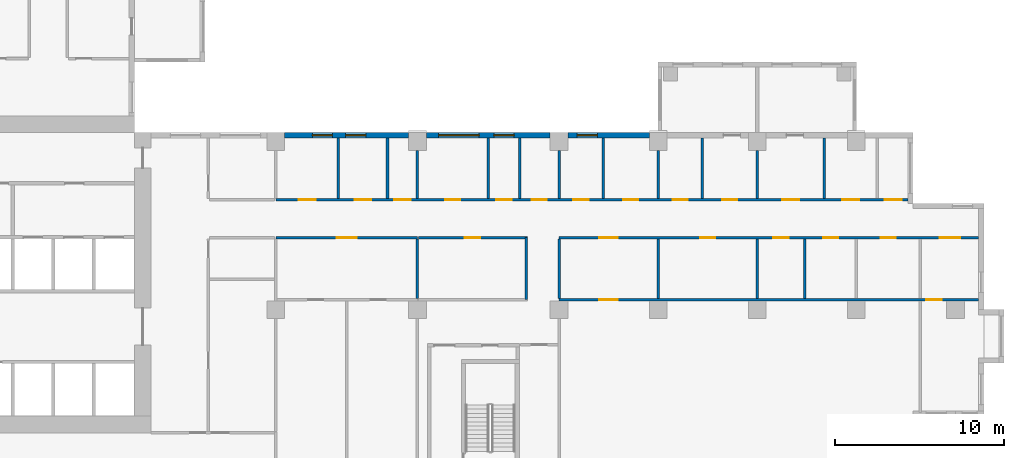
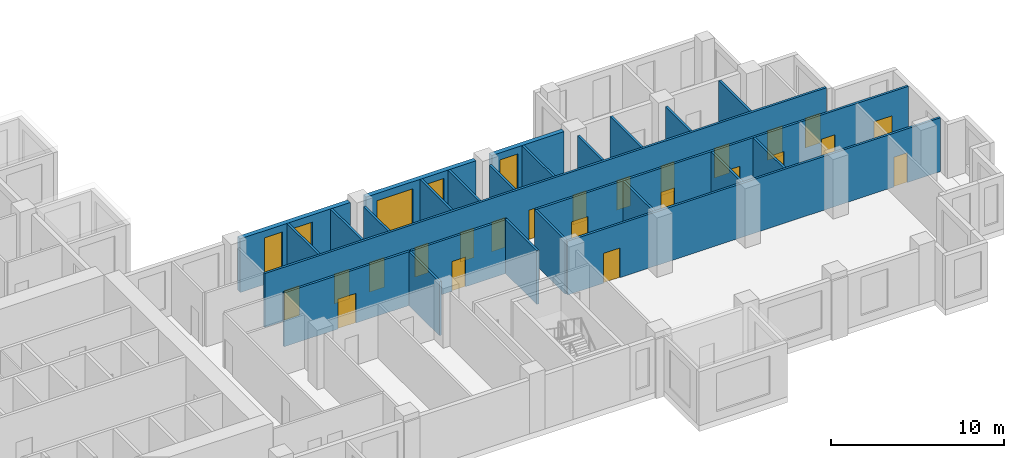
# One storey, part 5 of 14: 25 walls, 23 doors, 5 windows, 28 openings.
"""IFC4 building model written with IfcOpenShell, lengths in metres."""

import ifcopenshell
import ifcopenshell.guid

model = None  # the IFC model being written
_history = None  # IfcOwnerHistory: only IFC2X3 demands one
_inside = {}  # id of a spatial element -> (the spatial element, [elements in it])
_under = {}  # id of a project, library or spatial element -> (it, [spatial elements below it])
_declared = {}  # id of a project -> (the project, [libraries it declares])
_typed = {}  # id of a type object -> (the type object, [elements of that type])
_made_of = {}  # id of a material, layer set ... -> (it, [elements and type objects made of it])


def new_model(schema):
    """Start an empty IFC model of exactly this schema.

    Asked for "IFC4X3", IfcOpenShell would pick the latest addendum, in which some entities
    have other attributes; the version numbers below select the first issue.
    IFC2X3 requires an IfcOwnerHistory on every rooted entity: one is made here for all.
    """
    global model, _history
    if schema == "IFC4X3":
        model = ifcopenshell.file(schema_version=(4, 3, 0, 0))
    else:
        model = ifcopenshell.file(schema=schema)
    _inside.clear()
    _under.clear()
    _declared.clear()
    _typed.clear()
    _made_of.clear()
    _history = None
    if model.schema == "IFC2X3":
        org = make("IfcOrganization", Name="unknown")
        user = make(
            "IfcPersonAndOrganization",
            ThePerson=make("IfcPerson", FamilyName="unknown"),
            TheOrganization=org,
        )
        app = make(
            "IfcApplication",
            ApplicationDeveloper=org,
            Version="unknown",
            ApplicationFullName="unknown",
            ApplicationIdentifier="unknown",
        )
        _history = make(
            "IfcOwnerHistory",
            OwningUser=user,
            OwningApplication=app,
            ChangeAction="ADDED",
            CreationDate=0,
        )
    return model


def make(cls, **values):
    """One entity of the class cls with the attributes given. An attribute that is None is left unset."""
    return model.create_entity(
        cls, **{name: value for name, value in values.items() if value is not None}
    )


def rooted(cls, **values):
    """An entity with a GlobalId (a new one), such as an element, a storey or a relation."""
    return make(cls, GlobalId=ifcopenshell.guid.new(), OwnerHistory=_history, **values)


def si_unit(unit_type, name, prefix=None):
    """IfcSIUnit, for example si_unit("LENGTHUNIT", "METRE", prefix="MILLI")."""
    return make("IfcSIUnit", UnitType=unit_type, Prefix=prefix, Name=name)


def assignment(units):
    """IfcUnitAssignment: the units of a project."""
    return None if units is None else make("IfcUnitAssignment", Units=units)


def point(xyz):
    """IfcCartesianPoint."""
    return None if xyz is None else make("IfcCartesianPoint", Coordinates=xyz)


def direction(xyz):
    """IfcDirection."""
    return None if xyz is None else make("IfcDirection", DirectionRatios=xyz)


def frame(location, z_axis=None, x_axis=None):
    """IfcAxis2Placement3D, a coordinate frame: its origin and axes. An axis left out is left unset."""
    return make(
        "IfcAxis2Placement3D",
        Location=point(location),
        Axis=direction(z_axis),
        RefDirection=direction(x_axis),
    )


def frame_2d(location, x_axis=None):
    """IfcAxis2Placement2D, a coordinate frame in the plane: its origin and x axis."""
    return make(
        "IfcAxis2Placement2D", Location=point(location), RefDirection=direction(x_axis)
    )


def origin():
    """The frame at (0, 0, 0) with its axes left unset."""
    return frame((0.0, 0.0, 0.0))


def place(relative_to, where):
    """IfcLocalPlacement: puts the frame where relative to a parent placement (None: the world)."""
    return make(
        "IfcLocalPlacement", PlacementRelTo=relative_to, RelativePlacement=where
    )


def context(
    kind, dimensions, precision=None, world=None, true_north=None, identifier=None
):
    """IfcGeometricRepresentationContext, for example the 3D "Model" context."""
    return make(
        "IfcGeometricRepresentationContext",
        ContextIdentifier=identifier,
        ContextType=kind,
        CoordinateSpaceDimension=dimensions,
        Precision=precision,
        WorldCoordinateSystem=world,
        TrueNorth=true_north,
    )


def subcontext(parent, identifier, kind, view, scale=None):
    """IfcGeometricRepresentationSubContext, for example "Body" below "Model"."""
    return make(
        "IfcGeometricRepresentationSubContext",
        ContextIdentifier=identifier,
        ContextType=kind,
        ParentContext=parent,
        TargetScale=scale,
        TargetView=view,
    )


def project(units=None, contexts=None):
    """IfcProject with its units and contexts."""
    return rooted(
        "IfcProject",
        Name="project",
        RepresentationContexts=contexts,
        UnitsInContext=assignment(units),
    )


def spatial(cls, under=None, at=None, **own):
    """A site, building, storey or space (cls), placed at a placement, below another one or the project."""
    s = rooted(cls, ObjectPlacement=at, **own)
    if under is not None:
        _under.setdefault(under.id(), (under, []))[1].append(s)
    return s


def profile(cls, at=None, kind="AREA", **sizes):
    """A parametric profile (cls). Its sizes go by their IFC names, for example OverallWidth=200.0."""
    return make(cls, ProfileType=kind, Position=at, **sizes)


def rectangle(**sizes):
    """IfcRectangleProfileDef."""
    return profile("IfcRectangleProfileDef", **sizes)


def extrude(swept, where, along, depth):
    """IfcExtrudedAreaSolid: the profile swept, set in the frame where, extruded along a direction by depth."""
    return make(
        "IfcExtrudedAreaSolid",
        SweptArea=swept,
        Position=where,
        ExtrudedDirection=direction(along),
        Depth=depth,
    )


def shape(context_of_items, identifier, shape_type, items):
    """IfcShapeRepresentation: the items that make up one representation, for example the "Body"."""
    return make(
        "IfcShapeRepresentation",
        ContextOfItems=context_of_items,
        RepresentationIdentifier=identifier,
        RepresentationType=shape_type,
        Items=items,
    )


def source(mapping_origin, context_of_items, identifier, shape_type, items):
    """IfcRepresentationMap: a shape defined once, which mapped items show again and again."""
    return make(
        "IfcRepresentationMap",
        MappingOrigin=mapping_origin,
        MappedRepresentation=shape(context_of_items, identifier, shape_type, items),
    )


def transform(
    local_origin,
    x_axis=None,
    y_axis=None,
    z_axis=None,
    scale=None,
    scale2=None,
    scale3=None,
    uniform=True,
):
    """IfcCartesianTransformationOperator3D, or its non-uniform kind. x_axis, y_axis, z_axis: its Axis1, 2, 3."""
    if uniform:
        return make(
            "IfcCartesianTransformationOperator3D",
            Axis1=direction(x_axis),
            Axis2=direction(y_axis),
            LocalOrigin=point(local_origin),
            Scale=scale,
            Axis3=direction(z_axis),
        )
    return make(
        "IfcCartesianTransformationOperator3DnonUniform",
        Axis1=direction(x_axis),
        Axis2=direction(y_axis),
        LocalOrigin=point(local_origin),
        Scale=scale,
        Axis3=direction(z_axis),
        Scale2=scale2,
        Scale3=scale3,
    )


def mapped(mapping_source, mapping_target):
    """IfcMappedItem: shows the shape of a source again, moved by a transform."""
    return make(
        "IfcMappedItem", MappingSource=mapping_source, MappingTarget=mapping_target
    )


def material(Name=None, Category=None):
    """IfcMaterial."""
    return make("IfcMaterial", Name=Name, Category=Category)


def layer(
    of_material, thickness, ventilated=None, Name=None, Category=None, Priority=None
):
    """IfcMaterialLayer: one layer of a wall or slab, of a material (None: an air gap)."""
    return make(
        "IfcMaterialLayer",
        Material=of_material,
        LayerThickness=thickness,
        IsVentilated=ventilated,
        Name=Name,
        Category=Category,
        Priority=Priority,
    )


def layer_set(layers, Name=None):
    """IfcMaterialLayerSet."""
    return make("IfcMaterialLayerSet", MaterialLayers=layers, LayerSetName=Name)


def made_of(thing, what):
    """Note that an element or type object is made of a material, layer set ...; save() writes the relation."""
    if what is not None:
        _made_of.setdefault(what.id(), (what, []))[1].append(thing)
    return thing


def type_object(cls, material=None, **own):
    """A type object (cls), such as IfcWallType, which elements share."""
    return made_of(rooted(cls, **own), material)


def element(
    cls,
    number,
    at=None,
    inside=None,
    cuts=None,
    type_object=None,
    material=None,
    context=None,
    identifier="Body",
    shape_type=None,
    held_by="IfcProductDefinitionShape",
    body=None,
    shapes=None,
    **own,
):
    """One element of the class cls, such as IfcWall. Its Tag is "e" and its number.

    at: its placement. inside: the storey or other place that contains it. cuts: it is an
    opening in that element (IfcRelVoidsElement). A single representation is given by context,
    identifier, shape_type and body (its items); several are given by shapes. held_by: the class
    of the entity that holds the representations. save() writes the other relations.
    """
    e = rooted(cls, Tag="e%d" % number, ObjectPlacement=at, **own)
    if body is not None:
        shapes = [shape(context, identifier, shape_type, body)]
    if shapes is not None:
        e.Representation = make(held_by, Representations=shapes)
    if inside is not None:
        _inside.setdefault(inside.id(), (inside, []))[1].append(e)
    if cuts is not None:
        rooted(
            "IfcRelVoidsElement", RelatingBuildingElement=cuts, RelatedOpeningElement=e
        )
    if type_object is not None:
        _typed.setdefault(type_object.id(), (type_object, []))[1].append(e)
    return made_of(e, material)


def fill(opening, filler):
    """IfcRelFillsElement: the door or window that sits in an opening."""
    return rooted(
        "IfcRelFillsElement",
        RelatingOpeningElement=opening,
        RelatedBuildingElement=filler,
    )


def aggregate(whole, parts):
    """IfcRelAggregates: a whole, such as a stair, and the parts it consists of."""
    return rooted("IfcRelAggregates", RelatingObject=whole, RelatedObjects=parts)


def save(model, path):
    """Write the relations noted so far, then the file.

    IfcRelAggregates (storeys below a building ...), IfcRelContainedInSpatialStructure (elements
    in a storey), IfcRelDefinesByType, IfcRelAssociatesMaterial and IfcRelDeclares: one each for
    every whole, place, type object, material and project.
    """
    for whole, parts in _under.values():
        aggregate(whole, parts)
    for where, things in _inside.values():
        rooted(
            "IfcRelContainedInSpatialStructure",
            RelatedElements=things,
            RelatingStructure=where,
        )
    for kind, things in _typed.values():
        rooted("IfcRelDefinesByType", RelatedObjects=things, RelatingType=kind)
    for what, things in _made_of.values():
        rooted("IfcRelAssociatesMaterial", RelatedObjects=things, RelatingMaterial=what)
    for by, libraries in _declared.values():
        rooted("IfcRelDeclares", RelatingContext=by, RelatedDefinitions=libraries)
    model.write(path)


model = new_model("IFC4")

# Units and contexts
model_context = context("Model", 3, precision=1e-05, world=origin(), true_north=direction((0.0, 1.0)))
body_context = subcontext(model_context, "Body", "Model", "MODEL_VIEW")
ifc_project = project(units=[si_unit("LENGTHUNIT", "METRE"), si_unit("AREAUNIT", "SQUARE_METRE"), si_unit("VOLUMEUNIT", "CUBIC_METRE"), si_unit("PLANEANGLEUNIT", "RADIAN"), si_unit("MASSUNIT", "GRAM", prefix="KILO")], contexts=[model_context])

# Site, building, storey
site_placement = place(None, origin())
site = spatial("IfcSite", under=ifc_project, at=site_placement, CompositionType="ELEMENT")
building_placement = place(site_placement, origin())
building = spatial("IfcBuilding", under=site, at=building_placement, Name="Aurelian Terraces", CompositionType="ELEMENT")
storey_placement = place(building_placement, frame((0.0, 0.0, 111.9)))
storey = spatial("IfcBuildingStorey", under=building, at=storey_placement, Name="L24", CompositionType="ELEMENT", Elevation=111.9)

# Wall, openings, windows
ifc_material_1 = material(Name="Terracotta rainscreen cladding", Category="masonry")
ifc_layer_1 = layer(ifc_material_1, 0.3)
ifc_layer_set_1 = layer_set([ifc_layer_1], Name="EW-300")
wall_type_1 = type_object("IfcWallType", Name="EW-300", PredefinedType="STANDARD", material=ifc_layer_set_1)
shared_shape_1 = source(origin(), body_context, "Body", "SweptSolid", [
    extrude(rectangle(XDim=7.35, YDim=0.3, at=frame_2d((3.675, 0.0))), origin(), (0.0, 0.0, 1.0), 3.8),
])
wall_1_placement = place(storey_placement, frame((45.675, 20.85, 0.0), z_axis=(0.0, 0.0, 1.0), x_axis=(-1.0, 0.0, 0.0)))
wall_1 = element("IfcWall", 1, at=wall_1_placement, inside=storey, type_object=wall_type_1, Name="External wall L24 F07.20", PredefinedType="STANDARD", context=body_context, shape_type="MappedRepresentation", body=[
    mapped(shared_shape_1, transform((0.0, 0.0, 0.0), scale=1.0)),
])
shared_shape_2 = source(origin(), body_context, "Body", "SweptSolid", [
    extrude(rectangle(XDim=1.2, YDim=2.7, at=frame_2d((0.6, 1.35))), frame((0.0, 0.16, 0.0), z_axis=(0.0, -1.0, 0.0), x_axis=(1.0, 0.0, 0.0)), (0.0, 0.0, 1.0), 0.32),
])
opening_1_placement = place(wall_1_placement, frame((2.141, 0.0, 0.6)))
opening_1 = element("IfcOpeningElement", 2, at=opening_1_placement, cuts=wall_1, Name="Opening W1227", PredefinedType="OPENING", context=body_context, shape_type="MappedRepresentation", body=[
    mapped(shared_shape_2, transform((0.0, 0.0, 0.0), scale=1.0)),
])
shared_shape_3 = source(origin(), body_context, "Body", "SweptSolid", [
    extrude(rectangle(XDim=2.4, YDim=2.7, at=frame_2d((1.2, 1.35))), frame((0.0, 0.16, 0.0), z_axis=(0.0, -1.0, 0.0), x_axis=(1.0, 0.0, 0.0)), (0.0, 0.0, 1.0), 0.32),
])
opening_2_placement = place(wall_1_placement, frame((4.2125, 0.0, 0.6)))
opening_2 = element("IfcOpeningElement", 3, at=opening_2_placement, cuts=wall_1, Name="Opening W2427", PredefinedType="OPENING", context=body_context, shape_type="MappedRepresentation", body=[
    mapped(shared_shape_3, transform((0.0, 0.0, 0.0), scale=1.0)),
])
ifc_material_2 = material(Name="Clear glazing", Category="glass")
window_type_1 = type_object("IfcWindowType", Name="W-2400x2700", PartitioningType="SINGLE_PANEL", PredefinedType="WINDOW", material=ifc_material_2)
shared_shape_4 = source(origin(), body_context, "Body", "SweptSolid", [
    extrude(rectangle(XDim=2.4, YDim=2.7, at=frame_2d((1.2, 1.35))), frame((0.0, 0.03, 0.0), z_axis=(0.0, -1.0, 0.0), x_axis=(1.0, 0.0, 0.0)), (0.0, 0.0, 1.0), 0.06),
])
window_1_placement = place(opening_2_placement, origin())
window_1 = element("IfcWindow", 4, at=window_1_placement, inside=storey, type_object=window_type_1, Name="Window L24 L24-F07-20-P0.2", OverallHeight=2.7, OverallWidth=2.4, PartitioningType="SINGLE_PANEL", PredefinedType="WINDOW", context=body_context, shape_type="MappedRepresentation", body=[
    mapped(shared_shape_4, transform((0.0, 0.0, 0.0), scale=1.0)),
])
fill(opening_2, window_1)
window_type_2 = type_object("IfcWindowType", Name="W-1200x2700", PartitioningType="SINGLE_PANEL", PredefinedType="WINDOW", material=ifc_material_2)
shared_shape_5 = source(origin(), body_context, "Body", "SweptSolid", [
    extrude(rectangle(XDim=1.2, YDim=2.7, at=frame_2d((0.6, 1.35))), frame((0.0, 0.03, 0.0), z_axis=(0.0, -1.0, 0.0), x_axis=(1.0, 0.0, 0.0)), (0.0, 0.0, 1.0), 0.06),
])
window_2_placement = place(opening_1_placement, origin())
window_2 = element("IfcWindow", 5, at=window_2_placement, inside=storey, type_object=window_type_2, Name="Window L24 L24-F07-20-P0.1", OverallHeight=2.7, OverallWidth=1.2, PartitioningType="SINGLE_PANEL", PredefinedType="WINDOW", context=body_context, shape_type="MappedRepresentation", body=[
    mapped(shared_shape_5, transform((0.0, 0.0, 0.0), scale=1.0)),
])
fill(opening_1, window_2)

wall_2_placement = place(storey_placement, frame((37.275, 20.85, 0.0), z_axis=(0.0, 0.0, 1.0), x_axis=(-1.0, 0.0, 0.0)))
wall_2 = element("IfcWall", 6, at=wall_2_placement, inside=storey, type_object=wall_type_1, Name="External wall L24 F07.20", PredefinedType="STANDARD", context=body_context, shape_type="MappedRepresentation", body=[
    mapped(shared_shape_1, transform((0.0, 0.0, 0.0), scale=1.0)),
])
opening_3_placement = place(wall_2_placement, frame((2.541, 0.0, 0.6)))
opening_3 = element("IfcOpeningElement", 7, at=opening_3_placement, cuts=wall_2, Name="Opening W1227", PredefinedType="OPENING", context=body_context, shape_type="MappedRepresentation", body=[
    mapped(shared_shape_2, transform((0.0, 0.0, 0.0), scale=1.0)),
])
opening_4_placement = place(wall_2_placement, frame((4.516, 0.0, 0.6)))
opening_4 = element("IfcOpeningElement", 8, at=opening_4_placement, cuts=wall_2, Name="Opening W1227", PredefinedType="OPENING", context=body_context, shape_type="MappedRepresentation", body=[
    mapped(shared_shape_2, transform((0.0, 0.0, 0.0), scale=1.0)),
])
window_3_placement = place(opening_3_placement, origin())
window_3 = element("IfcWindow", 9, at=window_3_placement, inside=storey, type_object=window_type_2, Name="Window L24 L24-F07-20-2.1", OverallHeight=2.7, OverallWidth=1.2, PartitioningType="SINGLE_PANEL", PredefinedType="WINDOW", context=body_context, shape_type="MappedRepresentation", body=[
    mapped(shared_shape_5, transform((0.0, 0.0, 0.0), scale=1.0)),
])
fill(opening_3, window_3)
window_4_placement = place(opening_4_placement, origin())
window_4 = element("IfcWindow", 10, at=window_4_placement, inside=storey, type_object=window_type_2, Name="Window L24 L24-F07-20-2.2", OverallHeight=2.7, OverallWidth=1.2, PartitioningType="SINGLE_PANEL", PredefinedType="WINDOW", context=body_context, shape_type="MappedRepresentation", body=[
    mapped(shared_shape_5, transform((0.0, 0.0, 0.0), scale=1.0)),
])
fill(opening_4, window_4)

# Wall, opening, window
shared_shape_6 = source(origin(), body_context, "Body", "SweptSolid", [
    extrude(rectangle(XDim=4.83, YDim=0.3, at=frame_2d((2.415, 0.0))), origin(), (0.0, 0.0, 1.0), 3.8),
])
wall_3_placement = place(storey_placement, frame((51.555, 20.85, 0.0), z_axis=(0.0, 0.0, 1.0), x_axis=(-1.0, 0.0, 0.0)))
wall_3 = element("IfcWall", 11, at=wall_3_placement, inside=storey, type_object=wall_type_1, Name="External wall L24 F07.19", PredefinedType="STANDARD", context=body_context, shape_type="MappedRepresentation", body=[
    mapped(shared_shape_6, transform((0.0, 0.0, 0.0), scale=1.0)),
])
opening_5_placement = place(wall_3_placement, frame((3.0865, 0.0, 0.6)))
opening_5 = element("IfcOpeningElement", 12, at=opening_5_placement, cuts=wall_3, Name="Opening W1227", PredefinedType="OPENING", context=body_context, shape_type="MappedRepresentation", body=[
    mapped(shared_shape_2, transform((0.0, 0.0, 0.0), scale=1.0)),
])
window_5_placement = place(opening_5_placement, origin())
window_5 = element("IfcWindow", 13, at=window_5_placement, inside=storey, type_object=window_type_2, Name="Window L24 L24-F07-19-4", OverallHeight=2.7, OverallWidth=1.2, PartitioningType="SINGLE_PANEL", PredefinedType="WINDOW", context=body_context, shape_type="MappedRepresentation", body=[
    mapped(shared_shape_5, transform((0.0, 0.0, 0.0), scale=1.0)),
])
fill(opening_5, window_5)

# Wall, opening, door
ifc_material_3 = material(Name="Gypsum board on steel studs", Category="steel")
ifc_layer_2 = layer(ifc_material_3, 0.15)
ifc_layer_set_2 = layer_set([ifc_layer_2], Name="Fire partition 150")
wall_type_2 = type_object("IfcWallType", Name="Fire partition 150", PredefinedType="PARTITIONING", material=ifc_layer_set_2)
shared_shape_7 = source(origin(), body_context, "Body", "SweptSolid", [
    extrude(rectangle(XDim=6.45, YDim=0.15, at=frame_2d((3.225, 0.0))), origin(), (0.0, 0.0, 1.0), 3.8),
])
wall_4_placement = place(storey_placement, frame((44.325, 14.775, 0.0), z_axis=(0.0, 0.0, 1.0), x_axis=(-1.0, 0.0, 0.0)))
wall_4 = element("IfcWall", 14, at=wall_4_placement, inside=storey, type_object=wall_type_2, Name="Corridor wall", PredefinedType="PARTITIONING", context=body_context, shape_type="MappedRepresentation", body=[
    mapped(shared_shape_7, transform((0.0, 0.0, 0.0), scale=1.0)),
])
shared_shape_8 = source(origin(), body_context, "Body", "SweptSolid", [
    extrude(rectangle(XDim=0.9, YDim=2.1, at=frame_2d((0.45, 1.05))), frame((0.0, 0.085, 0.0), z_axis=(0.0, -1.0, 0.0), x_axis=(1.0, 0.0, 0.0)), (0.0, 0.0, 1.0), 0.17),
])
opening_6_placement = place(wall_4_placement, frame((2.8125, 0.0, 0.0)))
opening_6 = element("IfcOpeningElement", 15, at=opening_6_placement, cuts=wall_4, Name="Opening 724005", PredefinedType="OPENING", context=body_context, shape_type="MappedRepresentation", body=[
    mapped(shared_shape_8, transform((0.0, 0.0, 0.0), scale=1.0)),
])
ifc_material_4 = material(Name="Timber door leaf", Category="wood")
door_type_1 = type_object("IfcDoorType", Name="Room door 900x2100 left", OperationType="SINGLE_SWING_LEFT", PredefinedType="DOOR", material=ifc_material_4)
shared_shape_9 = source(origin(), body_context, "Body", "SweptSolid", [
    extrude(rectangle(XDim=0.9, YDim=2.1, at=frame_2d((0.45, 1.05))), frame((0.0, 0.025, 0.0), z_axis=(0.0, -1.0, 0.0), x_axis=(1.0, 0.0, 0.0)), (0.0, 0.0, 1.0), 0.05),
])
door_1_placement = place(opening_6_placement, origin())
door_1 = element("IfcDoor", 16, at=door_1_placement, inside=storey, type_object=door_type_1, Name="Door 724005", OperationType="SINGLE_SWING_LEFT", OverallHeight=2.1, OverallWidth=0.9, PredefinedType="DOOR", context=body_context, shape_type="MappedRepresentation", body=[
    mapped(shared_shape_9, transform((0.0, 0.0, 0.0), scale=1.0)),
])
fill(opening_6, door_1)

# Walls
ifc_layer_3 = layer(ifc_material_3, 0.15)
ifc_layer_set_3 = layer_set([ifc_layer_3], Name="Partition 150")
wall_type_3 = type_object("IfcWallType", Name="Partition 150", PredefinedType="PARTITIONING", material=ifc_layer_set_3)
shared_shape_10 = source(origin(), body_context, "Body", "SweptSolid", [
    extrude(rectangle(XDim=3.6, YDim=0.15, at=frame_2d((1.8, 0.0))), origin(), (0.0, 0.0, 1.0), 3.8),
])
for number, where, z_axis, x_axis, name in (
    (17, (33.1133, 20.7, 0.0), (0.0, 0.0, 1.0), (0.0, -1.0, 0.0), "Partition"),
    (18, (36.024, 20.7, 0.0), (0.0, 0.0, 1.0), (0.0, -1.0, 0.0), "Partition"),
    (19, (43.8679, 20.7, 0.0), (0.0, 0.0, 1.0), (0.0, -1.0, 0.0), "Partition"),
    (20, (48.8116, 20.7, 0.0), (0.0, 0.0, 1.0), (0.0, -1.0, 0.0), "Partition"),
    (21, (54.6916, 20.7, 0.0), (0.0, 0.0, 1.0), (0.0, -1.0, 0.0), "Partition"),
    (22, (61.9445, 20.7, 0.0), (0.0, 0.0, 1.0), (0.0, -1.0, 0.0), "Partition"),
    (23, (42.0, 17.1, 0.0), (0.0, 0.0, 1.0), (0.0, 1.0, 0.0), "Partition"),
):
    element("IfcWall", number, at=place(storey_placement, frame(where, z_axis=z_axis, x_axis=x_axis)), inside=storey, type_object=wall_type_3, Name=name, PredefinedType="PARTITIONING", context=body_context, shape_type="MappedRepresentation", body=[
        mapped(shared_shape_10, transform((0.0, 0.0, 0.0), scale=1.0)),
    ])

# Wall, opening, door
shared_shape_11 = source(origin(), body_context, "Body", "SweptSolid", [
    extrude(rectangle(XDim=8.4, YDim=0.15, at=frame_2d((4.2, 0.0))), origin(), (0.0, 0.0, 1.0), 3.8),
])
wall_5_placement = place(storey_placement, frame((37.8, 14.775, 0.0), z_axis=(0.0, 0.0, 1.0), x_axis=(-1.0, 0.0, 0.0)))
wall_5 = element("IfcWall", 24, at=wall_5_placement, inside=storey, type_object=wall_type_2, Name="Corridor wall", PredefinedType="PARTITIONING", context=body_context, shape_type="MappedRepresentation", body=[
    mapped(shared_shape_11, transform((0.0, 0.0, 0.0), scale=1.0)),
])
shared_shape_12 = source(origin(), body_context, "Body", "SweptSolid", [
    extrude(rectangle(XDim=1.2, YDim=2.1, at=frame_2d((0.6, 1.05))), frame((0.0, 0.085, 0.0), z_axis=(0.0, -1.0, 0.0), x_axis=(1.0, 0.0, 0.0)), (0.0, 0.0, 1.0), 0.17),
])
opening_7_placement = place(wall_5_placement, frame((3.6, 0.0, 0.0)))
opening_7 = element("IfcOpeningElement", 25, at=opening_7_placement, cuts=wall_5, Name="Opening 724007", PredefinedType="OPENING", context=body_context, shape_type="MappedRepresentation", body=[
    mapped(shared_shape_12, transform((0.0, 0.0, 0.0), scale=1.0)),
])
door_type_2 = type_object("IfcDoorType", Name="Room door 1200x2100 right", OperationType="SINGLE_SWING_RIGHT", PredefinedType="DOOR", material=ifc_material_4)
shared_shape_13 = source(origin(), body_context, "Body", "SweptSolid", [
    extrude(rectangle(XDim=1.2, YDim=2.1, at=frame_2d((0.6, 1.05))), frame((0.0, 0.025, 0.0), z_axis=(0.0, -1.0, 0.0), x_axis=(1.0, 0.0, 0.0)), (0.0, 0.0, 1.0), 0.05),
])
door_2_placement = place(opening_7_placement, origin())
door_2 = element("IfcDoor", 26, at=door_2_placement, inside=storey, type_object=door_type_2, Name="Door 724007", OperationType="SINGLE_SWING_RIGHT", OverallHeight=2.1, OverallWidth=1.2, PredefinedType="DOOR", context=body_context, shape_type="MappedRepresentation", body=[
    mapped(shared_shape_13, transform((0.0, 0.0, 0.0), scale=1.0)),
])
fill(opening_7, door_2)

# Wall, openings, doors
shared_shape_14 = source(origin(), body_context, "Body", "SweptSolid", [
    extrude(rectangle(XDim=24.9, YDim=0.15, at=frame_2d((12.45, 0.0))), origin(), (0.0, 0.0, 1.0), 3.8),
])
wall_6_placement = place(storey_placement, frame((71.1, 11.1, 0.0), z_axis=(0.0, 0.0, 1.0), x_axis=(-1.0, 0.0, 0.0)))
wall_6 = element("IfcWall", 27, at=wall_6_placement, inside=storey, type_object=wall_type_3, Name="Partition", PredefinedType="PARTITIONING", context=body_context, shape_type="MappedRepresentation", body=[
    mapped(shared_shape_14, transform((0.0, 0.0, 0.0), scale=1.0)),
])
shared_shape_15 = source(origin(), body_context, "Body", "SweptSolid", [
    extrude(rectangle(XDim=1.1, YDim=2.1, at=frame_2d((0.55, 1.05))), frame((0.0, 0.085, 0.0), z_axis=(0.0, -1.0, 0.0), x_axis=(1.0, 0.0, 0.0)), (0.0, 0.0, 1.0), 0.17),
])
opening_8_placement = place(wall_6_placement, frame((21.41, 0.0, 0.0)))
opening_8 = element("IfcOpeningElement", 28, at=opening_8_placement, cuts=wall_6, Name="Opening 724011", PredefinedType="OPENING", context=body_context, shape_type="MappedRepresentation", body=[
    mapped(shared_shape_15, transform((0.0, 0.0, 0.0), scale=1.0)),
])
opening_9_placement = place(wall_6_placement, frame((2.205, 0.0, 0.0)))
opening_9 = element("IfcOpeningElement", 29, at=opening_9_placement, cuts=wall_6, Name="Opening 724017", PredefinedType="OPENING", context=body_context, shape_type="MappedRepresentation", body=[
    mapped(shared_shape_8, transform((0.0, 0.0, 0.0), scale=1.0)),
])
door_3_placement = place(opening_9_placement, origin())
door_3 = element("IfcDoor", 30, at=door_3_placement, inside=storey, type_object=door_type_1, Name="Door 724017", OperationType="SINGLE_SWING_LEFT", OverallHeight=2.1, OverallWidth=0.9, PredefinedType="DOOR", context=body_context, shape_type="MappedRepresentation", body=[
    mapped(shared_shape_9, transform((0.0, 0.0, 0.0), scale=1.0)),
])
fill(opening_9, door_3)
door_type_3 = type_object("IfcDoorType", Name="Room door 1100x2100 left", OperationType="SINGLE_SWING_LEFT", PredefinedType="DOOR", material=ifc_material_4)
shared_shape_16 = source(origin(), body_context, "Body", "SweptSolid", [
    extrude(rectangle(XDim=1.1, YDim=2.1, at=frame_2d((0.55, 1.05))), frame((0.0, 0.025, 0.0), z_axis=(0.0, -1.0, 0.0), x_axis=(1.0, 0.0, 0.0)), (0.0, 0.0, 1.0), 0.05),
])
door_4_placement = place(opening_8_placement, origin())
door_4 = element("IfcDoor", 31, at=door_4_placement, inside=storey, type_object=door_type_3, Name="Door 724011", OperationType="SINGLE_SWING_LEFT", OverallHeight=2.1, OverallWidth=1.1, PredefinedType="DOOR", context=body_context, shape_type="MappedRepresentation", body=[
    mapped(shared_shape_16, transform((0.0, 0.0, 0.0), scale=1.0)),
])
fill(opening_8, door_4)

wall_7_placement = place(storey_placement, frame((71.1, 14.775, 0.0), z_axis=(0.0, 0.0, 1.0), x_axis=(-1.0, 0.0, 0.0)))
wall_7 = element("IfcWall", 32, at=wall_7_placement, inside=storey, type_object=wall_type_2, Name="Corridor wall", PredefinedType="PARTITIONING", context=body_context, shape_type="MappedRepresentation", body=[
    mapped(shared_shape_14, transform((0.0, 0.0, 0.0), scale=1.0)),
])
opening_10_placement = place(wall_7_placement, frame((21.41, 0.0, 0.0)))
opening_10 = element("IfcOpeningElement", 33, at=opening_10_placement, cuts=wall_7, Name="Opening 724010", PredefinedType="OPENING", context=body_context, shape_type="MappedRepresentation", body=[
    mapped(shared_shape_15, transform((0.0, 0.0, 0.0), scale=1.0)),
])
opening_11_placement = place(wall_7_placement, frame((15.63, 0.0, 0.0)))
opening_11 = element("IfcOpeningElement", 34, at=opening_11_placement, cuts=wall_7, Name="Opening 724012", PredefinedType="OPENING", context=body_context, shape_type="MappedRepresentation", body=[
    mapped(shared_shape_8, transform((0.0, 0.0, 0.0), scale=1.0)),
])
opening_12_placement = place(wall_7_placement, frame((11.2782, 0.0, 0.0)))
opening_12 = element("IfcOpeningElement", 35, at=opening_12_placement, cuts=wall_7, Name="Opening 724013", PredefinedType="OPENING", context=body_context, shape_type="MappedRepresentation", body=[
    mapped(shared_shape_8, transform((0.0, 0.0, 0.0), scale=1.0)),
])
opening_13_placement = place(wall_7_placement, frame((8.3382, 0.0, 0.0)))
opening_13 = element("IfcOpeningElement", 36, at=opening_13_placement, cuts=wall_7, Name="Opening 724014", PredefinedType="OPENING", context=body_context, shape_type="MappedRepresentation", body=[
    mapped(shared_shape_8, transform((0.0, 0.0, 0.0), scale=1.0)),
])
opening_14_placement = place(wall_7_placement, frame((4.92, 0.0, 0.0)))
opening_14 = element("IfcOpeningElement", 37, at=opening_14_placement, cuts=wall_7, Name="Opening 724015", PredefinedType="OPENING", context=body_context, shape_type="MappedRepresentation", body=[
    mapped(shared_shape_8, transform((0.0, 0.0, 0.0), scale=1.0)),
])
opening_15_placement = place(wall_7_placement, frame((1.1025, 0.0, 0.0)))
opening_15 = element("IfcOpeningElement", 38, at=opening_15_placement, cuts=wall_7, Name="Opening 724016", PredefinedType="OPENING", context=body_context, shape_type="MappedRepresentation", body=[
    mapped(shared_shape_12, transform((0.0, 0.0, 0.0), scale=1.0)),
])
door_type_4 = type_object("IfcDoorType", Name="Room door 900x2100 right", OperationType="SINGLE_SWING_RIGHT", PredefinedType="DOOR", material=ifc_material_4)
door_5_placement = place(opening_11_placement, origin())
door_5 = element("IfcDoor", 39, at=door_5_placement, inside=storey, type_object=door_type_4, Name="Door 724012", OperationType="SINGLE_SWING_RIGHT", OverallHeight=2.1, OverallWidth=0.9, PredefinedType="DOOR", context=body_context, shape_type="MappedRepresentation", body=[
    mapped(shared_shape_9, transform((0.0, 0.0, 0.0), scale=1.0)),
])
fill(opening_11, door_5)
door_6_placement = place(opening_12_placement, origin())
door_6 = element("IfcDoor", 40, at=door_6_placement, inside=storey, type_object=door_type_1, Name="Door 724013", OperationType="SINGLE_SWING_LEFT", OverallHeight=2.1, OverallWidth=0.9, PredefinedType="DOOR", context=body_context, shape_type="MappedRepresentation", body=[
    mapped(shared_shape_9, transform((0.0, 0.0, 0.0), scale=1.0)),
])
fill(opening_12, door_6)
door_7_placement = place(opening_13_placement, origin())
door_7 = element("IfcDoor", 41, at=door_7_placement, inside=storey, type_object=door_type_4, Name="Door 724014", OperationType="SINGLE_SWING_RIGHT", OverallHeight=2.1, OverallWidth=0.9, PredefinedType="DOOR", context=body_context, shape_type="MappedRepresentation", body=[
    mapped(shared_shape_9, transform((0.0, 0.0, 0.0), scale=1.0)),
])
fill(opening_13, door_7)
door_8_placement = place(opening_14_placement, origin())
door_8 = element("IfcDoor", 42, at=door_8_placement, inside=storey, type_object=door_type_1, Name="Door 724015", OperationType="SINGLE_SWING_LEFT", OverallHeight=2.1, OverallWidth=0.9, PredefinedType="DOOR", context=body_context, shape_type="MappedRepresentation", body=[
    mapped(shared_shape_9, transform((0.0, 0.0, 0.0), scale=1.0)),
])
fill(opening_14, door_8)
door_type_5 = type_object("IfcDoorType", Name="Room door 1100x2100 right", OperationType="SINGLE_SWING_RIGHT", PredefinedType="DOOR", material=ifc_material_4)
door_9_placement = place(opening_10_placement, origin())
door_9 = element("IfcDoor", 43, at=door_9_placement, inside=storey, type_object=door_type_5, Name="Door 724010", OperationType="SINGLE_SWING_RIGHT", OverallHeight=2.1, OverallWidth=1.1, PredefinedType="DOOR", context=body_context, shape_type="MappedRepresentation", body=[
    mapped(shared_shape_16, transform((0.0, 0.0, 0.0), scale=1.0)),
])
fill(opening_10, door_9)
door_10_placement = place(opening_15_placement, origin())
door_10 = element("IfcDoor", 44, at=door_10_placement, inside=storey, type_object=door_type_2, Name="Door 724016", OperationType="SINGLE_SWING_RIGHT", OverallHeight=2.1, OverallWidth=1.2, PredefinedType="DOOR", context=body_context, shape_type="MappedRepresentation", body=[
    mapped(shared_shape_13, transform((0.0, 0.0, 0.0), scale=1.0)),
])
fill(opening_15, door_10)

shared_shape_17 = source(origin(), body_context, "Body", "SweptSolid", [
    extrude(rectangle(XDim=37.5, YDim=0.15, at=frame_2d((18.75, 0.0))), origin(), (0.0, 0.0, 1.0), 3.8),
])
wall_8_placement = place(storey_placement, frame((29.4, 17.025, 0.0), z_axis=(0.0, 0.0, 1.0), x_axis=(1.0, 0.0, 0.0)))
wall_8 = element("IfcWall", 45, at=wall_8_placement, inside=storey, type_object=wall_type_2, Name="Corridor wall", PredefinedType="PARTITIONING", context=body_context, shape_type="MappedRepresentation", body=[
    mapped(shared_shape_17, transform((0.0, 0.0, 0.0), scale=1.0)),
])
shared_shape_18 = source(origin(), body_context, "Body", "SweptSolid", [
    extrude(rectangle(XDim=1.0, YDim=2.1, at=frame_2d((0.5, 1.05))), frame((0.0, 0.085, 0.0), z_axis=(0.0, -1.0, 0.0), x_axis=(1.0, 0.0, 0.0)), (0.0, 0.0, 1.0), 0.17),
])
opening_16_placement = place(wall_8_placement, frame((1.3567, 0.0, 0.0)))
opening_16 = element("IfcOpeningElement", 46, at=opening_16_placement, cuts=wall_8, Name="Opening 724018", PredefinedType="OPENING", context=body_context, shape_type="MappedRepresentation", body=[
    mapped(shared_shape_18, transform((0.0, 0.0, 0.0), scale=1.0)),
])
opening_17_placement = place(wall_8_placement, frame((4.6686, 0.0, 0.0)))
opening_17 = element("IfcOpeningElement", 47, at=opening_17_placement, cuts=wall_8, Name="Opening 724019", PredefinedType="OPENING", context=body_context, shape_type="MappedRepresentation", body=[
    mapped(shared_shape_18, transform((0.0, 0.0, 0.0), scale=1.0)),
])
opening_18_placement = place(wall_8_placement, frame((7.012, 0.0, 0.0)))
opening_18 = element("IfcOpeningElement", 48, at=opening_18_placement, cuts=wall_8, Name="Opening 724020", PredefinedType="OPENING", context=body_context, shape_type="MappedRepresentation", body=[
    mapped(shared_shape_18, transform((0.0, 0.0, 0.0), scale=1.0)),
])
opening_19_placement = place(wall_8_placement, frame((10.05, 0.0, 0.0)))
opening_19 = element("IfcOpeningElement", 49, at=opening_19_placement, cuts=wall_8, Name="Opening 724021", PredefinedType="OPENING", context=body_context, shape_type="MappedRepresentation", body=[
    mapped(shared_shape_8, transform((0.0, 0.0, 0.0), scale=1.0)),
])
opening_20_placement = place(wall_8_placement, frame((13.0839, 0.0, 0.0)))
opening_20 = element("IfcOpeningElement", 50, at=opening_20_placement, cuts=wall_8, Name="Opening 724022", PredefinedType="OPENING", context=body_context, shape_type="MappedRepresentation", body=[
    mapped(shared_shape_8, transform((0.0, 0.0, 0.0), scale=1.0)),
])
opening_21_placement = place(wall_8_placement, frame((15.1839, 0.0, 0.0)))
opening_21 = element("IfcOpeningElement", 51, at=opening_21_placement, cuts=wall_8, Name="Opening 724023", PredefinedType="OPENING", context=body_context, shape_type="MappedRepresentation", body=[
    mapped(shared_shape_8, transform((0.0, 0.0, 0.0), scale=1.0)),
])
opening_22_placement = place(wall_8_placement, frame((17.6558, 0.0, 0.0)))
opening_22 = element("IfcOpeningElement", 52, at=opening_22_placement, cuts=wall_8, Name="Opening 724024", PredefinedType="OPENING", context=body_context, shape_type="MappedRepresentation", body=[
    mapped(shared_shape_8, transform((0.0, 0.0, 0.0), scale=1.0)),
])
opening_23_placement = place(wall_8_placement, frame((20.5958, 0.0, 0.0)))
opening_23 = element("IfcOpeningElement", 53, at=opening_23_placement, cuts=wall_8, Name="Opening 724025", PredefinedType="OPENING", context=body_context, shape_type="MappedRepresentation", body=[
    mapped(shared_shape_8, transform((0.0, 0.0, 0.0), scale=1.0)),
])
opening_24_placement = place(wall_8_placement, frame((23.5358, 0.0, 0.0)))
opening_24 = element("IfcOpeningElement", 54, at=opening_24_placement, cuts=wall_8, Name="Opening 724026", PredefinedType="OPENING", context=body_context, shape_type="MappedRepresentation", body=[
    mapped(shared_shape_8, transform((0.0, 0.0, 0.0), scale=1.0)),
])
opening_25_placement = place(wall_8_placement, frame((26.4758, 0.0, 0.0)))
opening_25 = element("IfcOpeningElement", 55, at=opening_25_placement, cuts=wall_8, Name="Opening 724027", PredefinedType="OPENING", context=body_context, shape_type="MappedRepresentation", body=[
    mapped(shared_shape_8, transform((0.0, 0.0, 0.0), scale=1.0)),
])
opening_26_placement = place(wall_8_placement, frame((30.0523, 0.0, 0.0)))
opening_26 = element("IfcOpeningElement", 56, at=opening_26_placement, cuts=wall_8, Name="Opening 724028", PredefinedType="OPENING", context=body_context, shape_type="MappedRepresentation", body=[
    mapped(shared_shape_18, transform((0.0, 0.0, 0.0), scale=1.0)),
])
opening_27_placement = place(wall_8_placement, frame((33.6084, 0.0, 0.0)))
opening_27 = element("IfcOpeningElement", 57, at=opening_27_placement, cuts=wall_8, Name="Opening 724029", PredefinedType="OPENING", context=body_context, shape_type="MappedRepresentation", body=[
    mapped(shared_shape_18, transform((0.0, 0.0, 0.0), scale=1.0)),
])
opening_28_placement = place(wall_8_placement, frame((36.1236, 0.0, 0.0)))
opening_28 = element("IfcOpeningElement", 58, at=opening_28_placement, cuts=wall_8, Name="Opening 724030", PredefinedType="OPENING", context=body_context, shape_type="MappedRepresentation", body=[
    mapped(shared_shape_18, transform((0.0, 0.0, 0.0), scale=1.0)),
])
door_type_6 = type_object("IfcDoorType", Name="Room door 1000x2100 right", OperationType="SINGLE_SWING_RIGHT", PredefinedType="DOOR", material=ifc_material_4)
shared_shape_19 = source(origin(), body_context, "Body", "SweptSolid", [
    extrude(rectangle(XDim=1.0, YDim=2.1, at=frame_2d((0.5, 1.05))), frame((0.0, 0.025, 0.0), z_axis=(0.0, -1.0, 0.0), x_axis=(1.0, 0.0, 0.0)), (0.0, 0.0, 1.0), 0.05),
])
door_11_placement = place(opening_16_placement, origin())
door_11 = element("IfcDoor", 59, at=door_11_placement, inside=storey, type_object=door_type_6, Name="Door 724018", OperationType="SINGLE_SWING_RIGHT", OverallHeight=2.1, OverallWidth=1.0, PredefinedType="DOOR", context=body_context, shape_type="MappedRepresentation", body=[
    mapped(shared_shape_19, transform((0.0, 0.0, 0.0), scale=1.0)),
])
fill(opening_16, door_11)
door_type_7 = type_object("IfcDoorType", Name="Room door 1000x2100 left", OperationType="SINGLE_SWING_LEFT", PredefinedType="DOOR", material=ifc_material_4)
door_12_placement = place(opening_17_placement, origin())
door_12 = element("IfcDoor", 60, at=door_12_placement, inside=storey, type_object=door_type_7, Name="Door 724019", OperationType="SINGLE_SWING_LEFT", OverallHeight=2.1, OverallWidth=1.0, PredefinedType="DOOR", context=body_context, shape_type="MappedRepresentation", body=[
    mapped(shared_shape_19, transform((0.0, 0.0, 0.0), scale=1.0)),
])
fill(opening_17, door_12)
door_13_placement = place(opening_18_placement, origin())
door_13 = element("IfcDoor", 61, at=door_13_placement, inside=storey, type_object=door_type_6, Name="Door 724020", OperationType="SINGLE_SWING_RIGHT", OverallHeight=2.1, OverallWidth=1.0, PredefinedType="DOOR", context=body_context, shape_type="MappedRepresentation", body=[
    mapped(shared_shape_19, transform((0.0, 0.0, 0.0), scale=1.0)),
])
fill(opening_18, door_13)
door_14_placement = place(opening_26_placement, origin())
door_14 = element("IfcDoor", 62, at=door_14_placement, inside=storey, type_object=door_type_6, Name="Door 724028", OperationType="SINGLE_SWING_RIGHT", OverallHeight=2.1, OverallWidth=1.0, PredefinedType="DOOR", context=body_context, shape_type="MappedRepresentation", body=[
    mapped(shared_shape_19, transform((0.0, 0.0, 0.0), scale=1.0)),
])
fill(opening_26, door_14)
door_15_placement = place(opening_27_placement, origin())
door_15 = element("IfcDoor", 63, at=door_15_placement, inside=storey, type_object=door_type_7, Name="Door 724029", OperationType="SINGLE_SWING_LEFT", OverallHeight=2.1, OverallWidth=1.0, PredefinedType="DOOR", context=body_context, shape_type="MappedRepresentation", body=[
    mapped(shared_shape_19, transform((0.0, 0.0, 0.0), scale=1.0)),
])
fill(opening_27, door_15)
door_16_placement = place(opening_28_placement, origin())
door_16 = element("IfcDoor", 64, at=door_16_placement, inside=storey, type_object=door_type_6, Name="Door 724030", OperationType="SINGLE_SWING_RIGHT", OverallHeight=2.1, OverallWidth=1.0, PredefinedType="DOOR", context=body_context, shape_type="MappedRepresentation", body=[
    mapped(shared_shape_19, transform((0.0, 0.0, 0.0), scale=1.0)),
])
fill(opening_28, door_16)
door_17_placement = place(opening_19_placement, origin())
door_17 = element("IfcDoor", 65, at=door_17_placement, inside=storey, type_object=door_type_4, Name="Door 724021", OperationType="SINGLE_SWING_RIGHT", OverallHeight=2.1, OverallWidth=0.9, PredefinedType="DOOR", context=body_context, shape_type="MappedRepresentation", body=[
    mapped(shared_shape_9, transform((0.0, 0.0, 0.0), scale=1.0)),
])
fill(opening_19, door_17)
door_18_placement = place(opening_20_placement, origin())
door_18 = element("IfcDoor", 66, at=door_18_placement, inside=storey, type_object=door_type_4, Name="Door 724022", OperationType="SINGLE_SWING_RIGHT", OverallHeight=2.1, OverallWidth=0.9, PredefinedType="DOOR", context=body_context, shape_type="MappedRepresentation", body=[
    mapped(shared_shape_9, transform((0.0, 0.0, 0.0), scale=1.0)),
])
fill(opening_20, door_18)
door_19_placement = place(opening_21_placement, origin())
door_19 = element("IfcDoor", 67, at=door_19_placement, inside=storey, type_object=door_type_1, Name="Door 724023", OperationType="SINGLE_SWING_LEFT", OverallHeight=2.1, OverallWidth=0.9, PredefinedType="DOOR", context=body_context, shape_type="MappedRepresentation", body=[
    mapped(shared_shape_9, transform((0.0, 0.0, 0.0), scale=1.0)),
])
fill(opening_21, door_19)
door_20_placement = place(opening_22_placement, origin())
door_20 = element("IfcDoor", 68, at=door_20_placement, inside=storey, type_object=door_type_4, Name="Door 724024", OperationType="SINGLE_SWING_RIGHT", OverallHeight=2.1, OverallWidth=0.9, PredefinedType="DOOR", context=body_context, shape_type="MappedRepresentation", body=[
    mapped(shared_shape_9, transform((0.0, 0.0, 0.0), scale=1.0)),
])
fill(opening_22, door_20)
door_21_placement = place(opening_23_placement, origin())
door_21 = element("IfcDoor", 69, at=door_21_placement, inside=storey, type_object=door_type_1, Name="Door 724025", OperationType="SINGLE_SWING_LEFT", OverallHeight=2.1, OverallWidth=0.9, PredefinedType="DOOR", context=body_context, shape_type="MappedRepresentation", body=[
    mapped(shared_shape_9, transform((0.0, 0.0, 0.0), scale=1.0)),
])
fill(opening_23, door_21)
door_22_placement = place(opening_24_placement, origin())
door_22 = element("IfcDoor", 70, at=door_22_placement, inside=storey, type_object=door_type_4, Name="Door 724026", OperationType="SINGLE_SWING_RIGHT", OverallHeight=2.1, OverallWidth=0.9, PredefinedType="DOOR", context=body_context, shape_type="MappedRepresentation", body=[
    mapped(shared_shape_9, transform((0.0, 0.0, 0.0), scale=1.0)),
])
fill(opening_24, door_22)
door_23_placement = place(opening_25_placement, origin())
door_23 = element("IfcDoor", 71, at=door_23_placement, inside=storey, type_object=door_type_1, Name="Door 724027", OperationType="SINGLE_SWING_LEFT", OverallHeight=2.1, OverallWidth=0.9, PredefinedType="DOOR", context=body_context, shape_type="MappedRepresentation", body=[
    mapped(shared_shape_9, transform((0.0, 0.0, 0.0), scale=1.0)),
])
fill(opening_25, door_23)

# Walls
shared_shape_20 = source(origin(), body_context, "Body", "SweptSolid", [
    extrude(rectangle(XDim=2.851, YDim=0.15, at=frame_2d((1.4255, 0.0))), origin(), (0.0, 0.0, 1.0), 3.8),
])
for number, where, z_axis, x_axis, name in (
    (72, (37.8, 17.1, 0.0), (0.0, 0.0, 1.0), (0.0, 1.0, 0.0), "Partition"),
    (73, (46.2, 17.1, 0.0), (0.0, 0.0, 1.0), (0.0, 1.0, 0.0), "Partition"),
    (74, (52.08, 17.1, 0.0), (0.0, 0.0, 1.0), (0.0, 1.0, 0.0), "Partition"),
    (75, (57.96, 17.1, 0.0), (0.0, 0.0, 1.0), (0.0, 1.0, 0.0), "Partition"),
):
    element("IfcWall", number, at=place(storey_placement, frame(where, z_axis=z_axis, x_axis=x_axis)), inside=storey, type_object=wall_type_3, Name=name, PredefinedType="PARTITIONING", context=body_context, shape_type="MappedRepresentation", body=[
        mapped(shared_shape_20, transform((0.0, 0.0, 0.0), scale=1.0)),
    ])
shared_shape_21 = source(origin(), body_context, "Body", "SweptSolid", [
    extrude(rectangle(XDim=3.525, YDim=0.15, at=frame_2d((1.7625, 0.0))), origin(), (0.0, 0.0, 1.0), 3.8),
])
for number, where, z_axis, x_axis, name in (
    (76, (37.8, 11.175, 0.0), (0.0, 0.0, 1.0), (0.0, 1.0, 0.0), "Partition"),
    (77, (52.08, 11.175, 0.0), (0.0, 0.0, 1.0), (0.0, 1.0, 0.0), "Partition"),
    (78, (57.96, 11.175, 0.0), (0.0, 0.0, 1.0), (0.0, 1.0, 0.0), "Partition"),
    (79, (60.7836, 11.175, 0.0), (0.0, 0.0, 1.0), (0.0, 1.0, 0.0), "Partition"),
    (80, (46.2, 11.175, 0.0), (0.0, 0.0, 1.0), (0.0, 1.0, 0.0), "Partition"),
):
    element("IfcWall", number, at=place(storey_placement, frame(where, z_axis=z_axis, x_axis=x_axis)), inside=storey, type_object=wall_type_3, Name=name, PredefinedType="PARTITIONING", context=body_context, shape_type="MappedRepresentation", body=[
        mapped(shared_shape_21, transform((0.0, 0.0, 0.0), scale=1.0)),
    ])
shared_shape_22 = source(origin(), body_context, "Body", "SweptSolid", [
    extrude(rectangle(XDim=3.675, YDim=0.15, at=frame_2d((1.8375, 0.0))), origin(), (0.0, 0.0, 1.0), 3.8),
])
wall_9_placement = place(storey_placement, frame((44.25, 11.1, 0.0), z_axis=(0.0, 0.0, 1.0), x_axis=(0.0, 1.0, 0.0)))
element("IfcWall", 81, at=wall_9_placement, inside=storey, type_object=wall_type_3, Name="Partition", PredefinedType="PARTITIONING", context=body_context, shape_type="MappedRepresentation", body=[
    mapped(shared_shape_22, transform((0.0, 0.0, 0.0), scale=1.0)),
])

save(model, "model.ifc")
